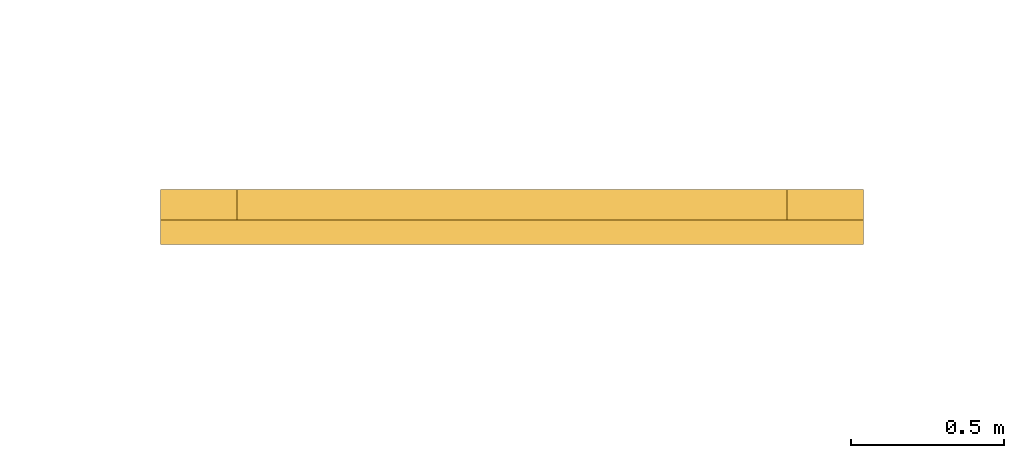
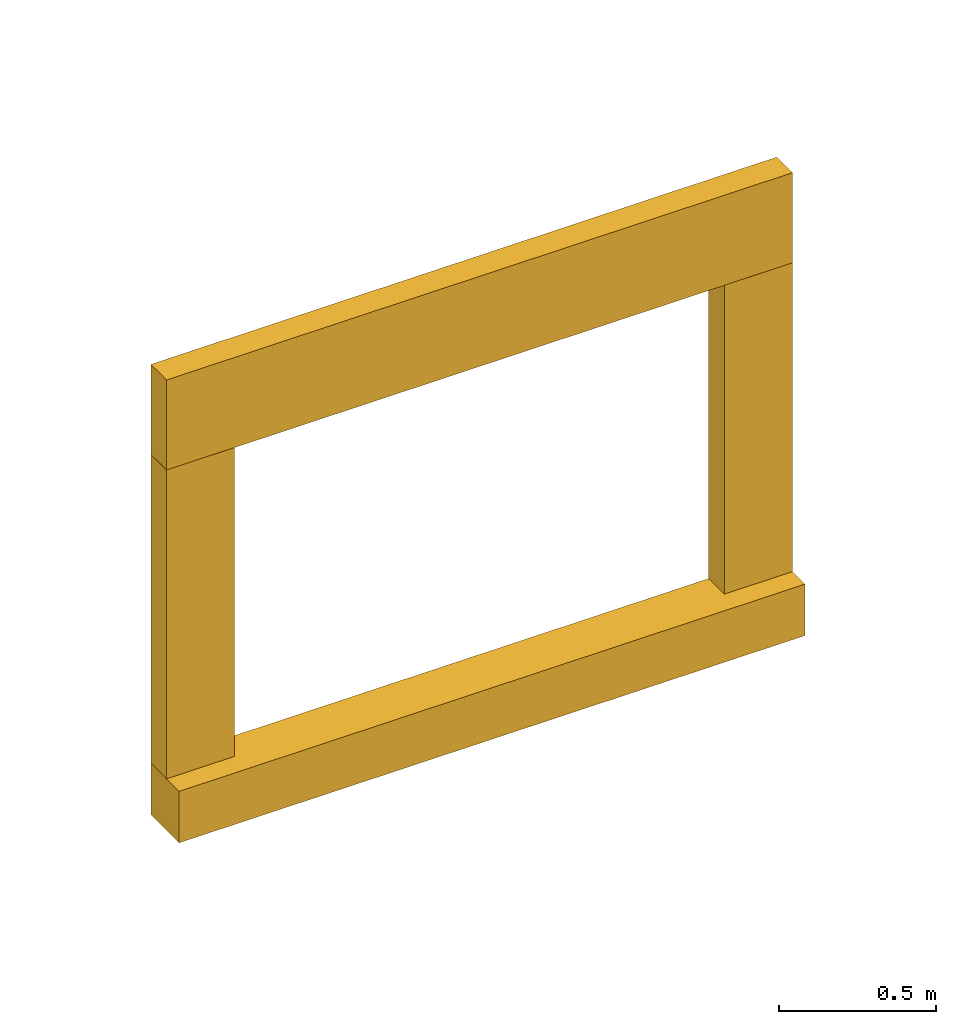
# One storey, part 15 of 17: 4 coverings.
"""IFC4 building model written with IfcOpenShell, lengths in metres."""

from ifc_helpers import new_model, si_unit, direction, frame, origin, origin_2d, place, context, subcontext, project, spatial, rectangle, extrude, material, layer, layer_set, type_object, element, save


model = new_model("IFC4")

# Units and contexts
model_context = context("Model", 3, precision=1e-05, world=origin(), true_north=direction((0.0, 1.0)))
body_context = subcontext(model_context, "Body", "Model", "MODEL_VIEW")
ifc_project = project(units=[si_unit("LENGTHUNIT", "METRE"), si_unit("AREAUNIT", "SQUARE_METRE"), si_unit("VOLUMEUNIT", "CUBIC_METRE"), si_unit("PLANEANGLEUNIT", "RADIAN"), si_unit("MASSUNIT", "GRAM", prefix="KILO")], contexts=[model_context])

# Site, building, storey
site_placement = place(None, origin())
site = spatial("IfcSite", under=ifc_project, at=site_placement, CompositionType="ELEMENT")
building_placement = place(site_placement, origin())
building = spatial("IfcBuilding", under=site, at=building_placement, Name="Verrick Yard Athletic Hall", CompositionType="ELEMENT")
storey_placement = place(building_placement, frame((0.0, 0.0, 18.199951171875)))
storey = spatial("IfcBuildingStorey", under=building, at=storey_placement, Name="Roof", CompositionType="ELEMENT", Elevation=18.199951171875)

# Coverings
ifc_material = material(Name="Tyndall-stone-look precast cladding", Category="masonry")
ifc_layer = layer(ifc_material, 0.25)
ifc_layer_set = layer_set([ifc_layer], Name="Stone moulding")
covering_type = type_object("IfcCoveringType", Name="Stone moulding", PredefinedType="MOLDING", material=ifc_layer_set)
covering_1_placement = place(storey_placement, frame((98.800048828125, 71.909912109375, 1.60009765625), z_axis=(0.0, 0.0, 1.0), x_axis=(1.0, 0.0, 0.0)))
element("IfcCovering", 1, at=covering_1_placement, inside=storey, type_object=covering_type, Name="Window sill", PredefinedType="MOLDING", context=body_context, shape_type="SweptSolid", body=[
    extrude(rectangle(XDim=2.300048828125, YDim=0.179931640625, at=origin_2d()), origin(), (0.0, 0.0, 1.0), 0.199951171875),
])
covering_2_placement = place(storey_placement, frame((98.800048828125, 71.949951171875, 3.0), z_axis=(0.0, 0.0, 1.0), x_axis=(1.0, 0.0, 0.0)))
element("IfcCovering", 2, at=covering_2_placement, inside=storey, type_object=covering_type, Name="Window head", PredefinedType="MOLDING", context=body_context, shape_type="SweptSolid", body=[
    extrude(rectangle(XDim=2.300048828125, YDim=0.10009765625, at=origin_2d()), origin(), (0.0, 0.0, 1.0), 0.35009765625),
])
for number, where, z_axis, x_axis, name in (
    (3, (97.77490234375, 71.949951171875, 1.80029296875), (0.0, 0.0, 1.0), (1.0, 0.0, 0.0), "Window jamb"),
    (4, (99.824951171875, 71.949951171875, 1.80029296875), (0.0, 0.0, 1.0), (1.0, 0.0, 0.0), "Window jamb"),
):
    element("IfcCovering", number, at=place(storey_placement, frame(where, z_axis=z_axis, x_axis=x_axis)), inside=storey, type_object=covering_type, Name=name, PredefinedType="MOLDING", context=body_context, shape_type="SweptSolid", body=[
        extrude(rectangle(XDim=0.25, YDim=0.10009765625, at=origin_2d()), origin(), (0.0, 0.0, 1.0), 1.199951171875),
    ])

save(model, "model.ifc")
